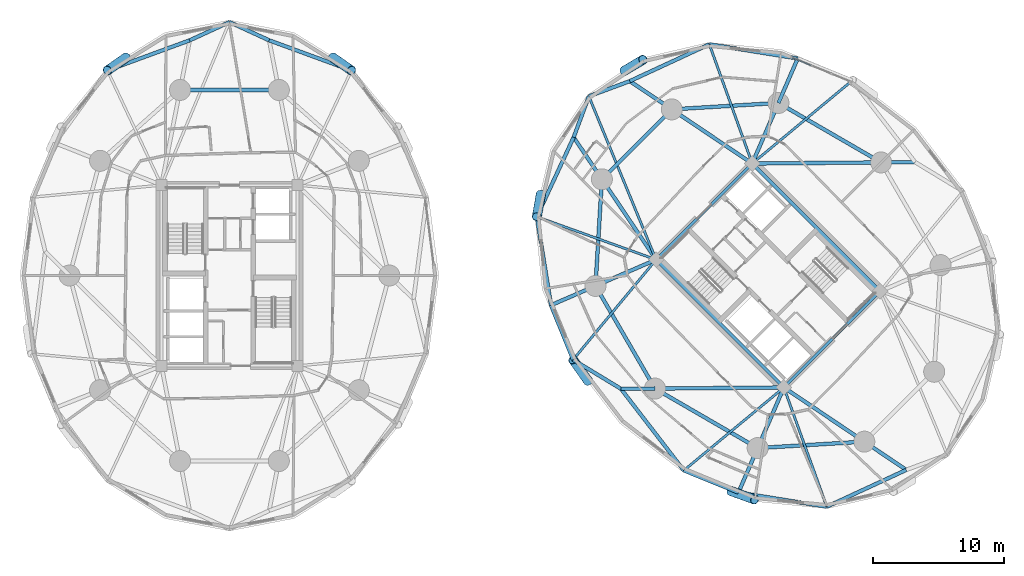
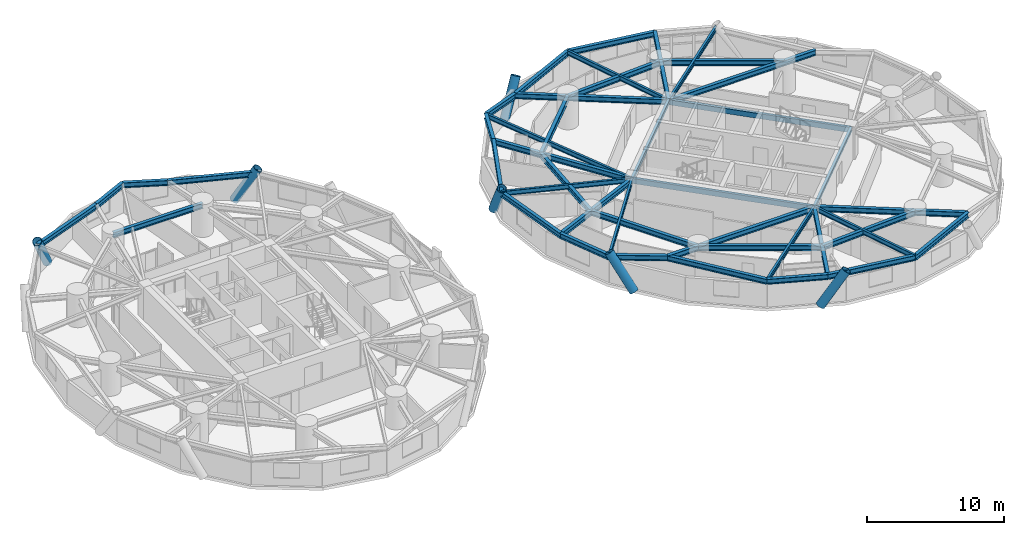
# One storey, part 5 of 16: 45 beams, 7 members, 1 element without a shape of its own.
"""IFC4 building model written with IfcOpenShell, lengths in metres."""

import ifcopenshell
import ifcopenshell.guid

model = None  # the IFC model being written
_history = None  # IfcOwnerHistory: only IFC2X3 demands one
_inside = {}  # id of a spatial element -> (the spatial element, [elements in it])
_under = {}  # id of a project, library or spatial element -> (it, [spatial elements below it])
_declared = {}  # id of a project -> (the project, [libraries it declares])
_typed = {}  # id of a type object -> (the type object, [elements of that type])
_made_of = {}  # id of a material, layer set ... -> (it, [elements and type objects made of it])


def new_model(schema):
    """Start an empty IFC model of exactly this schema.

    Asked for "IFC4X3", IfcOpenShell would pick the latest addendum, in which some entities
    have other attributes; the version numbers below select the first issue.
    IFC2X3 requires an IfcOwnerHistory on every rooted entity: one is made here for all.
    """
    global model, _history
    if schema == "IFC4X3":
        model = ifcopenshell.file(schema_version=(4, 3, 0, 0))
    else:
        model = ifcopenshell.file(schema=schema)
    _inside.clear()
    _under.clear()
    _declared.clear()
    _typed.clear()
    _made_of.clear()
    _history = None
    if model.schema == "IFC2X3":
        org = make("IfcOrganization", Name="unknown")
        user = make(
            "IfcPersonAndOrganization",
            ThePerson=make("IfcPerson", FamilyName="unknown"),
            TheOrganization=org,
        )
        app = make(
            "IfcApplication",
            ApplicationDeveloper=org,
            Version="unknown",
            ApplicationFullName="unknown",
            ApplicationIdentifier="unknown",
        )
        _history = make(
            "IfcOwnerHistory",
            OwningUser=user,
            OwningApplication=app,
            ChangeAction="ADDED",
            CreationDate=0,
        )
    return model


def make(cls, **values):
    """One entity of the class cls with the attributes given. An attribute that is None is left unset."""
    return model.create_entity(
        cls, **{name: value for name, value in values.items() if value is not None}
    )


def rooted(cls, **values):
    """An entity with a GlobalId (a new one), such as an element, a storey or a relation."""
    return make(cls, GlobalId=ifcopenshell.guid.new(), OwnerHistory=_history, **values)


def si_unit(unit_type, name, prefix=None):
    """IfcSIUnit, for example si_unit("LENGTHUNIT", "METRE", prefix="MILLI")."""
    return make("IfcSIUnit", UnitType=unit_type, Prefix=prefix, Name=name)


def assignment(units):
    """IfcUnitAssignment: the units of a project."""
    return None if units is None else make("IfcUnitAssignment", Units=units)


def point(xyz):
    """IfcCartesianPoint."""
    return None if xyz is None else make("IfcCartesianPoint", Coordinates=xyz)


def direction(xyz):
    """IfcDirection."""
    return None if xyz is None else make("IfcDirection", DirectionRatios=xyz)


def frame(location, z_axis=None, x_axis=None):
    """IfcAxis2Placement3D, a coordinate frame: its origin and axes. An axis left out is left unset."""
    return make(
        "IfcAxis2Placement3D",
        Location=point(location),
        Axis=direction(z_axis),
        RefDirection=direction(x_axis),
    )


def frame_2d(location, x_axis=None):
    """IfcAxis2Placement2D, a coordinate frame in the plane: its origin and x axis."""
    return make(
        "IfcAxis2Placement2D", Location=point(location), RefDirection=direction(x_axis)
    )


def origin():
    """The frame at (0, 0, 0) with its axes left unset."""
    return frame((0.0, 0.0, 0.0))


def origin_2d():
    """The frame at (0, 0) in the plane with its x axis left unset."""
    return frame_2d((0.0, 0.0))


def place(relative_to, where):
    """IfcLocalPlacement: puts the frame where relative to a parent placement (None: the world)."""
    return make(
        "IfcLocalPlacement", PlacementRelTo=relative_to, RelativePlacement=where
    )


def context(
    kind, dimensions, precision=None, world=None, true_north=None, identifier=None
):
    """IfcGeometricRepresentationContext, for example the 3D "Model" context."""
    return make(
        "IfcGeometricRepresentationContext",
        ContextIdentifier=identifier,
        ContextType=kind,
        CoordinateSpaceDimension=dimensions,
        Precision=precision,
        WorldCoordinateSystem=world,
        TrueNorth=true_north,
    )


def subcontext(parent, identifier, kind, view, scale=None):
    """IfcGeometricRepresentationSubContext, for example "Body" below "Model"."""
    return make(
        "IfcGeometricRepresentationSubContext",
        ContextIdentifier=identifier,
        ContextType=kind,
        ParentContext=parent,
        TargetScale=scale,
        TargetView=view,
    )


def project(units=None, contexts=None):
    """IfcProject with its units and contexts."""
    return rooted(
        "IfcProject",
        Name="project",
        RepresentationContexts=contexts,
        UnitsInContext=assignment(units),
    )


def spatial(cls, under=None, at=None, **own):
    """A site, building, storey or space (cls), placed at a placement, below another one or the project."""
    s = rooted(cls, ObjectPlacement=at, **own)
    if under is not None:
        _under.setdefault(under.id(), (under, []))[1].append(s)
    return s


def profile(cls, at=None, kind="AREA", **sizes):
    """A parametric profile (cls). Its sizes go by their IFC names, for example OverallWidth=200.0."""
    return make(cls, ProfileType=kind, Position=at, **sizes)


def hollow_rectangle(**sizes):
    """IfcRectangleHollowProfileDef."""
    return profile("IfcRectangleHollowProfileDef", **sizes)


def hollow_circle(**sizes):
    """IfcCircleHollowProfileDef."""
    return profile("IfcCircleHollowProfileDef", **sizes)


def i_section(**sizes):
    """IfcIShapeProfileDef."""
    return profile("IfcIShapeProfileDef", **sizes)


def extrude(swept, where, along, depth):
    """IfcExtrudedAreaSolid: the profile swept, set in the frame where, extruded along a direction by depth."""
    return make(
        "IfcExtrudedAreaSolid",
        SweptArea=swept,
        Position=where,
        ExtrudedDirection=direction(along),
        Depth=depth,
    )


def shape(context_of_items, identifier, shape_type, items):
    """IfcShapeRepresentation: the items that make up one representation, for example the "Body"."""
    return make(
        "IfcShapeRepresentation",
        ContextOfItems=context_of_items,
        RepresentationIdentifier=identifier,
        RepresentationType=shape_type,
        Items=items,
    )


def material(Name=None, Category=None):
    """IfcMaterial."""
    return make("IfcMaterial", Name=Name, Category=Category)


def layer(
    of_material, thickness, ventilated=None, Name=None, Category=None, Priority=None
):
    """IfcMaterialLayer: one layer of a wall or slab, of a material (None: an air gap)."""
    return make(
        "IfcMaterialLayer",
        Material=of_material,
        LayerThickness=thickness,
        IsVentilated=ventilated,
        Name=Name,
        Category=Category,
        Priority=Priority,
    )


def layer_set(layers, Name=None):
    """IfcMaterialLayerSet."""
    return make("IfcMaterialLayerSet", MaterialLayers=layers, LayerSetName=Name)


def material_profile(
    of_material, cross_section, Name=None, Category=None, Priority=None
):
    """IfcMaterialProfile: a cross section and its material."""
    return make(
        "IfcMaterialProfile",
        Name=Name,
        Material=of_material,
        Profile=cross_section,
        Priority=Priority,
        Category=Category,
    )


def profile_set(profiles, Name=None, composite=None):
    """IfcMaterialProfileSet."""
    return make(
        "IfcMaterialProfileSet",
        Name=Name,
        MaterialProfiles=profiles,
        CompositeProfile=composite,
    )


def made_of(thing, what):
    """Note that an element or type object is made of a material, layer set ...; save() writes the relation."""
    if what is not None:
        _made_of.setdefault(what.id(), (what, []))[1].append(thing)
    return thing


def type_object(cls, material=None, **own):
    """A type object (cls), such as IfcWallType, which elements share."""
    return made_of(rooted(cls, **own), material)


def element(
    cls,
    number,
    at=None,
    inside=None,
    cuts=None,
    type_object=None,
    material=None,
    context=None,
    identifier="Body",
    shape_type=None,
    held_by="IfcProductDefinitionShape",
    body=None,
    shapes=None,
    **own,
):
    """One element of the class cls, such as IfcWall. Its Tag is "e" and its number.

    at: its placement. inside: the storey or other place that contains it. cuts: it is an
    opening in that element (IfcRelVoidsElement). A single representation is given by context,
    identifier, shape_type and body (its items); several are given by shapes. held_by: the class
    of the entity that holds the representations. save() writes the other relations.
    """
    e = rooted(cls, Tag="e%d" % number, ObjectPlacement=at, **own)
    if body is not None:
        shapes = [shape(context, identifier, shape_type, body)]
    if shapes is not None:
        e.Representation = make(held_by, Representations=shapes)
    if inside is not None:
        _inside.setdefault(inside.id(), (inside, []))[1].append(e)
    if cuts is not None:
        rooted(
            "IfcRelVoidsElement", RelatingBuildingElement=cuts, RelatedOpeningElement=e
        )
    if type_object is not None:
        _typed.setdefault(type_object.id(), (type_object, []))[1].append(e)
    return made_of(e, material)


def aggregate(whole, parts):
    """IfcRelAggregates: a whole, such as a stair, and the parts it consists of."""
    return rooted("IfcRelAggregates", RelatingObject=whole, RelatedObjects=parts)


def save(model, path):
    """Write the relations noted so far, then the file.

    IfcRelAggregates (storeys below a building ...), IfcRelContainedInSpatialStructure (elements
    in a storey), IfcRelDefinesByType, IfcRelAssociatesMaterial and IfcRelDeclares: one each for
    every whole, place, type object, material and project.
    """
    for whole, parts in _under.values():
        aggregate(whole, parts)
    for where, things in _inside.values():
        rooted(
            "IfcRelContainedInSpatialStructure",
            RelatedElements=things,
            RelatingStructure=where,
        )
    for kind, things in _typed.values():
        rooted("IfcRelDefinesByType", RelatedObjects=things, RelatingType=kind)
    for what, things in _made_of.values():
        rooted("IfcRelAssociatesMaterial", RelatedObjects=things, RelatingMaterial=what)
    for by, libraries in _declared.values():
        rooted("IfcRelDeclares", RelatingContext=by, RelatedDefinitions=libraries)
    model.write(path)


model = new_model("IFC4")

# Units and contexts
model_context = context("Model", 3, precision=1e-05, world=origin(), true_north=direction((0.0, 1.0)))
body_context = subcontext(model_context, "Body", "Model", "MODEL_VIEW")
ifc_project = project(units=[si_unit("LENGTHUNIT", "METRE"), si_unit("AREAUNIT", "SQUARE_METRE"), si_unit("VOLUMEUNIT", "CUBIC_METRE"), si_unit("PLANEANGLEUNIT", "RADIAN"), si_unit("MASSUNIT", "GRAM", prefix="KILO")], contexts=[model_context])

# Site, building, storey
site_placement = place(None, origin())
site = spatial("IfcSite", under=ifc_project, at=site_placement, CompositionType="ELEMENT")
building_placement = place(site_placement, origin())
building = spatial("IfcBuilding", under=site, at=building_placement, Name="Cununo Teusaquillo Station Towers", CompositionType="ELEMENT")
storey_placement = place(building_placement, frame((0.0, 0.0, 62.739990234375)))
storey = spatial("IfcBuildingStorey", under=building, at=storey_placement, Name="L19", CompositionType="ELEMENT", Elevation=62.739990234375)

# Beams
ifc_material_1 = material(Name="Steel EN 10025-2 S355J2", Category="steel")
ifc_material_profile_1 = material_profile(ifc_material_1, hollow_rectangle(XDim=0.25, YDim=0.449951171875, WallThickness=0.01611328125, at=origin_2d()), Name="RHS 450x250x16")
ifc_profile_set_1 = profile_set([ifc_material_profile_1], Name="Steel EN 10025-2 S355J2")
beam_type_1 = type_object("IfcBeamType", Name="BM-COUP-1", PredefinedType="USERDEFINED", material=ifc_profile_set_1)
for number, where, z_axis, x_axis, name in (
    (1, (58.70556640625, 15.975830078125, 2.344970703125), (-0.707106781187, 0.707106781187, 0.0), (-0.707106781187, -0.707106781187, 0.0), "L19 Tower B Core Beam 1"),
    (2, (66.024169921875, 23.29443359375, 2.344970703125), (-0.707106781187, 0.707106781187, 0.0), (-0.707106781187, -0.707106781187, 0.0), "L19 Tower B Core Beam 2"),
):
    element("IfcBeam", number, at=place(storey_placement, frame(where, z_axis=z_axis, x_axis=x_axis)), inside=storey, type_object=beam_type_1, Name=name, ObjectType="COUPLING BEAM", PredefinedType="USERDEFINED", context=body_context, shape_type="SweptSolid", body=[
        extrude(hollow_rectangle(XDim=0.25, YDim=0.449951171875, WallThickness=0.01611328125, at=origin_2d()), origin(), (0.0, 0.0, 1.0), 13.760009765625),
    ])
ifc_material_2 = material(Name="Steel ASTM A572 Grade 50", Category="steel")
ifc_material_profile_2 = material_profile(ifc_material_2, i_section(OverallWidth=0.180908203125, OverallDepth=0.4169921875, WebThickness=0.010986328125, FlangeThickness=0.018310546875, FilletRadius=0.012939453125, at=origin_2d()), Name="W16X57")
ifc_profile_set_2 = profile_set([ifc_material_profile_2], Name="Steel ASTM A572 Grade 50")
beam_type_2 = type_object("IfcBeamType", Name="BM-JOIST-1", PredefinedType="JOIST", material=ifc_profile_set_2)
beam_1_placement = place(storey_placement, frame((56.29443359375, 33.024169921875, 2.361572265625), z_axis=(0.769727799615, 0.638372238196, 0.0), x_axis=(-0.638372238196, 0.769727799615, 0.0)))
element("IfcBeam", 3, at=beam_1_placement, inside=storey, type_object=beam_type_2, Name="L19 Tower B Radial Spandrel Joist V01", PredefinedType="JOIST", context=body_context, shape_type="SweptSolid", body=[
    extrude(i_section(OverallWidth=0.180908203125, OverallDepth=0.4169921875, WebThickness=0.010986328125, FlangeThickness=0.018310546875, FilletRadius=0.012939453125, at=origin_2d()), origin(), (0.0, 0.0, 1.0), 9.895263671875),
])
beam_2_placement = place(storey_placement, frame((56.29443359375, 33.024169921875, 2.361572265625), z_axis=(-0.338176312038, 0.941082771055, 0.0), x_axis=(-0.941082771055, -0.338176312038, 0.0)))
element("IfcBeam", 4, at=beam_2_placement, inside=storey, type_object=beam_type_2, Name="L19 Tower B Radial Spandrel Joist V03", PredefinedType="JOIST", context=body_context, shape_type="SweptSolid", body=[
    extrude(i_section(OverallWidth=0.180908203125, OverallDepth=0.4169921875, WebThickness=0.010986328125, FlangeThickness=0.018310546875, FilletRadius=0.012939453125, at=origin_2d()), origin(), (0.0, 0.0, 1.0), 9.646484375),
])
beam_3_placement = place(storey_placement, frame((48.975830078125, 25.70556640625, 2.361572265625), z_axis=(-0.380485864505, 0.924786735908, 0.0), x_axis=(-0.924786735908, -0.380485864505, 0.0)))
element("IfcBeam", 5, at=beam_3_placement, inside=storey, type_object=beam_type_2, Name="L19 Tower B Radial Spandrel Joist V05", PredefinedType="JOIST", context=body_context, shape_type="SweptSolid", body=[
    extrude(i_section(OverallWidth=0.180908203125, OverallDepth=0.4169921875, WebThickness=0.010986328125, FlangeThickness=0.018310546875, FilletRadius=0.012939453125, at=origin_2d()), origin(), (0.0, 0.0, 1.0), 13.44580078125),
])
beam_4_placement = place(storey_placement, frame((48.975830078125, 25.70556640625, 2.361572265625), z_axis=(-0.941082771055, 0.338176312038, 0.0), x_axis=(-0.338176312038, -0.941082771055, 0.0)))
element("IfcBeam", 6, at=beam_4_placement, inside=storey, type_object=beam_type_2, Name="L19 Tower B Radial Spandrel Joist V07", PredefinedType="JOIST", context=body_context, shape_type="SweptSolid", body=[
    extrude(i_section(OverallWidth=0.180908203125, OverallDepth=0.4169921875, WebThickness=0.010986328125, FlangeThickness=0.018310546875, FilletRadius=0.012939453125, at=origin_2d()), origin(), (0.0, 0.0, 1.0), 9.646484375),
])
for number, where, z_axis, x_axis, name in (
    (7, (48.975830078125, 25.70556640625, 2.361572265625), (-0.638372238196, -0.769727799615, 0.0), (0.769727799615, -0.638372238196, 0.0), "L19 Tower B Radial Spandrel Joist V09"),
    (8, (58.70556640625, 15.975830078125, 2.361572265625), (-0.769727799615, -0.638372238196, 0.0), (0.638372238196, -0.769727799615, 0.0), "L19 Tower B Radial Spandrel Joist V11"),
):
    element("IfcBeam", number, at=place(storey_placement, frame(where, z_axis=z_axis, x_axis=x_axis)), inside=storey, type_object=beam_type_2, Name=name, PredefinedType="JOIST", context=body_context, shape_type="SweptSolid", body=[
        extrude(i_section(OverallWidth=0.180908203125, OverallDepth=0.4169921875, WebThickness=0.010986328125, FlangeThickness=0.018310546875, FilletRadius=0.012939453125, at=origin_2d()), origin(), (0.0, 0.0, 1.0), 9.895263671875),
    ])
beam_5_placement = place(storey_placement, frame((58.70556640625, 15.975830078125, 2.361572265625), z_axis=(0.338176312038, -0.941082771055, 0.0), x_axis=(0.941082771055, 0.338176312038, 0.0)))
element("IfcBeam", 9, at=beam_5_placement, inside=storey, type_object=beam_type_2, Name="L19 Tower B Radial Spandrel Joist V13", PredefinedType="JOIST", context=body_context, shape_type="SweptSolid", body=[
    extrude(i_section(OverallWidth=0.180908203125, OverallDepth=0.4169921875, WebThickness=0.010986328125, FlangeThickness=0.018310546875, FilletRadius=0.012939453125, at=origin_2d()), origin(), (0.0, 0.0, 1.0), 9.646484375),
])
ifc_material_3 = material(Name="Steel ASTM A572 Grade 50", Category="steel")
ifc_material_profile_3 = material_profile(ifc_material_3, i_section(OverallWidth=0.2041015625, OverallDepth=0.35009765625, WebThickness=0.008544921875, FlangeThickness=0.01513671875, FilletRadius=0.011962890625, at=origin_2d()), Name="W14X48")
ifc_profile_set_3 = profile_set([ifc_material_profile_3], Name="Steel ASTM A572 Grade 50")
beam_type_3 = type_object("IfcBeamType", Name="BM-LINTEL-1", PredefinedType="LINTEL", material=ifc_profile_set_3)
for number, where, z_axis, x_axis, name in (
    (10, (58.70556640625, 15.975830078125, 2.39501953125), (0.707106781187, 0.707106781187, 0.0), (-0.707106781187, 0.707106781187, 0.0), "L19 Tower B Core Beam 3"),
    (11, (48.975830078125, 25.70556640625, 2.39501953125), (0.707106781187, 0.707106781187, 0.0), (-0.707106781187, 0.707106781187, 0.0), "L19 Tower B Core Beam 4"),
):
    element("IfcBeam", number, at=place(storey_placement, frame(where, z_axis=z_axis, x_axis=x_axis)), inside=storey, type_object=beam_type_3, Name=name, PredefinedType="LINTEL", context=body_context, shape_type="SweptSolid", body=[
        extrude(i_section(OverallWidth=0.2041015625, OverallDepth=0.35009765625, WebThickness=0.008544921875, FlangeThickness=0.01513671875, FilletRadius=0.011962890625, at=origin_2d()), origin(), (0.0, 0.0, 1.0), 10.35009765625),
    ])
ifc_material_4 = material(Name="Steel ASTM A572 Grade 50", Category="steel")
ifc_material_profile_4 = material_profile(ifc_material_4, i_section(OverallWidth=0.280029296875, OverallDepth=0.462890625, WebThickness=0.0107421875, FlangeThickness=0.017333984375, FilletRadius=0.013916015625, at=origin_2d()), Name="W18X76")
ifc_profile_set_4 = profile_set([ifc_material_profile_4], Name="Steel ASTM A572 Grade 50")
beam_type_4 = type_object("IfcBeamType", Name="BM-RAD-G1", PredefinedType="BEAM", material=ifc_profile_set_4)
beam_6_placement = place(storey_placement, frame((56.29443359375, 33.024169921875, 2.338623046875), z_axis=(0.999964331255, 0.008446077024, 0.0), x_axis=(-0.008446077024, 0.999964331255, 0.0)))
element("IfcBeam", 12, at=beam_6_placement, inside=storey, type_object=beam_type_4, Name="L19 Tower B Continuous Overhanging Radial Girder 01", PredefinedType="BEAM", context=body_context, shape_type="SweptSolid", body=[
    extrude(i_section(OverallWidth=0.280029296875, OverallDepth=0.462890625, WebThickness=0.0107421875, FlangeThickness=0.017333984375, FilletRadius=0.013916015625, at=origin_2d()), origin(), (0.0, 0.0, 1.0), 12.400634765625),
])
beam_7_placement = place(storey_placement, frame((56.29443359375, 33.024169921875, 2.338623046875), z_axis=(0.397346986387, 0.917668443616, 0.0), x_axis=(-0.917668443616, 0.397346986387, 0.0)))
element("IfcBeam", 13, at=beam_7_placement, inside=storey, type_object=beam_type_4, Name="L19 Tower B Radial Girder 02A", PredefinedType="BEAM", context=body_context, shape_type="SweptSolid", body=[
    extrude(i_section(OverallWidth=0.280029296875, OverallDepth=0.462890625, WebThickness=0.0107421875, FlangeThickness=0.017333984375, FilletRadius=0.013916015625, at=origin_2d()), origin(), (0.0, 0.0, 1.0), 5.02490234375),
])
beam_8_placement = place(storey_placement, frame((58.291015625, 37.63525390625, 2.338623046875), z_axis=(0.397421761279, 0.917636062751, 0.0), x_axis=(-0.917636062751, 0.397421761279, 0.0)))
element("IfcBeam", 14, at=beam_8_placement, inside=storey, type_object=beam_type_4, Name="L19 Tower B Perimeter Overhang Girder 02B", PredefinedType="BEAM", context=body_context, shape_type="SweptSolid", body=[
    extrude(i_section(OverallWidth=0.280029296875, OverallDepth=0.462890625, WebThickness=0.0107421875, FlangeThickness=0.017333984375, FilletRadius=0.013916015625, at=origin_2d()), origin(), (0.0, 0.0, 1.0), 3.690185546875),
])
for number, where, z_axis, x_axis, name in (
    (15, (56.29443359375, 33.024169921875, 2.338623046875), (-0.82945583878, 0.558572297481, 0.0), (-0.558572297481, -0.82945583878, 0.0), "L19 Tower B Continuous Overhanging Radial Girder 03"),
    (16, (48.975830078125, 25.70556640625, 2.338623046875), (-0.558572297481, 0.82945583878, 0.0), (-0.82945583878, -0.558572297481, 0.0), "L19 Tower B Continuous Overhanging Radial Girder 04"),
):
    element("IfcBeam", number, at=place(storey_placement, frame(where, z_axis=z_axis, x_axis=x_axis)), inside=storey, type_object=beam_type_4, Name=name, PredefinedType="BEAM", context=body_context, shape_type="SweptSolid", body=[
        extrude(i_section(OverallWidth=0.280029296875, OverallDepth=0.462890625, WebThickness=0.0107421875, FlangeThickness=0.017333984375, FilletRadius=0.013916015625, at=origin_2d()), origin(), (0.0, 0.0, 1.0), 11.22998046875),
    ])
beam_9_placement = place(storey_placement, frame((48.975830078125, 25.70556640625, 2.338623046875), z_axis=(-0.917654733344, -0.397378648609, 0.0), x_axis=(0.397378648609, -0.917654733344, 0.0)))
element("IfcBeam", 17, at=beam_9_placement, inside=storey, type_object=beam_type_4, Name="L19 Tower B Continuous Overhanging Radial Girder 05", PredefinedType="BEAM", context=body_context, shape_type="SweptSolid", body=[
    extrude(i_section(OverallWidth=0.280029296875, OverallDepth=0.462890625, WebThickness=0.0107421875, FlangeThickness=0.017333984375, FilletRadius=0.013916015625, at=origin_2d()), origin(), (0.0, 0.0, 1.0), 8.71484375),
])
beam_10_placement = place(storey_placement, frame((58.70556640625, 15.975830078125, 2.338623046875), z_axis=(-0.999964431382, -0.008434214327, 0.0), x_axis=(0.008434214327, -0.999964431382, 0.0)))
element("IfcBeam", 18, at=beam_10_placement, inside=storey, type_object=beam_type_4, Name="L19 Tower B Radial Girder 06A", PredefinedType="BEAM", context=body_context, shape_type="SweptSolid", body=[
    extrude(i_section(OverallWidth=0.280029296875, OverallDepth=0.462890625, WebThickness=0.0107421875, FlangeThickness=0.017333984375, FilletRadius=0.013916015625, at=origin_2d()), origin(), (0.0, 0.0, 1.0), 9.812744140625),
])
beam_11_placement = place(storey_placement, frame((48.89306640625, 15.89306640625, 2.338623046875), z_axis=(-0.999963950292, -0.008491060999, 0.0), x_axis=(0.008491060999, -0.999963950292, 0.0)))
element("IfcBeam", 19, at=beam_11_placement, inside=storey, type_object=beam_type_4, Name="L19 Tower B Perimeter Overhang Girder 06B", PredefinedType="BEAM", context=body_context, shape_type="SweptSolid", body=[
    extrude(i_section(OverallWidth=0.280029296875, OverallDepth=0.462890625, WebThickness=0.0107421875, FlangeThickness=0.017333984375, FilletRadius=0.013916015625, at=origin_2d()), origin(), (0.0, 0.0, 1.0), 2.587646484375),
])
beam_12_placement = place(storey_placement, frame((58.70556640625, 15.975830078125, 2.338623046875), z_axis=(-0.397378648609, -0.917654733344, 0.0), x_axis=(0.917654733344, -0.397378648609, 0.0)))
element("IfcBeam", 20, at=beam_12_placement, inside=storey, type_object=beam_type_4, Name="L19 Tower B Continuous Overhanging Radial Girder 07", PredefinedType="BEAM", context=body_context, shape_type="SweptSolid", body=[
    extrude(i_section(OverallWidth=0.280029296875, OverallDepth=0.462890625, WebThickness=0.0107421875, FlangeThickness=0.017333984375, FilletRadius=0.013916015625, at=origin_2d()), origin(), (0.0, 0.0, 1.0), 8.71484375),
])
beam_13_placement = place(storey_placement, frame((58.70556640625, 15.975830078125, 2.338623046875), z_axis=(0.82945583878, -0.558572297481, 0.0), x_axis=(0.558572297481, 0.82945583878, 0.0)))
element("IfcBeam", 21, at=beam_13_placement, inside=storey, type_object=beam_type_4, Name="L19 Tower B Continuous Overhanging Radial Girder 08", PredefinedType="BEAM", context=body_context, shape_type="SweptSolid", body=[
    extrude(i_section(OverallWidth=0.280029296875, OverallDepth=0.462890625, WebThickness=0.0107421875, FlangeThickness=0.017333984375, FilletRadius=0.013916015625, at=origin_2d()), origin(), (0.0, 0.0, 1.0), 11.22998046875),
])
ifc_material_5 = material(Name="Steel ASTM A572 Grade 50", Category="steel")
ifc_material_profile_5 = material_profile(ifc_material_5, i_section(OverallWidth=0.280029296875, OverallDepth=0.462890625, WebThickness=0.0107421875, FlangeThickness=0.017333984375, FilletRadius=0.013916015625, at=origin_2d()), Name="W18X76")
ifc_profile_set_5 = profile_set([ifc_material_profile_5], Name="Steel ASTM A572 Grade 50")
beam_type_5 = type_object("IfcBeamType", Name="BM-RING-Z2", PredefinedType="SPANDREL", material=ifc_profile_set_5)
beam_14_placement = place(storey_placement, frame((20.261474609375, 38.623291015625, 2.338623046875), z_axis=(-1.0, 0.0, 0.0), x_axis=(0.0, -1.0, 0.0)))
element("IfcBeam", 22, at=beam_14_placement, inside=storey, type_object=beam_type_5, Name="L19 Tower A Structural Column Ring Girder 03", PredefinedType="SPANDREL", context=body_context, shape_type="SweptSolid", body=[
    extrude(i_section(OverallWidth=0.280029296875, OverallDepth=0.462890625, WebThickness=0.0107421875, FlangeThickness=0.017333984375, FilletRadius=0.013916015625, at=origin_2d()), origin(), (0.0, 0.0, 1.0), 7.52294921875),
])
beam_15_placement = place(storey_placement, frame((25.78759765625, 40.10595703125, 2.338623046875), z_axis=(-0.938914161016, 0.34415141761, 0.0), x_axis=(-0.34415141761, -0.938914161016, 0.0)))
element("IfcBeam", 23, at=beam_15_placement, inside=storey, type_object=beam_type_5, Name="L19 Tower A Spandrel Ring Beam 04", PredefinedType="SPANDREL", context=body_context, shape_type="SweptSolid", body=[
    extrude(i_section(OverallWidth=0.280029296875, OverallDepth=0.462890625, WebThickness=0.0107421875, FlangeThickness=0.017333984375, FilletRadius=0.013916015625, at=origin_2d()), origin(), (0.0, 0.0, 1.0), 6.671142578125),
])
for number, where, z_axis, x_axis, name in (
    (24, (19.52392578125, 42.40185546875, 2.338623046875), (-0.908812215281, 0.417205413862, 0.0), (-0.417205413862, -0.908812215281, 0.0), "L19 Tower A Spandrel Ring Beam 05"),
    (25, (16.5, 43.7900390625, 2.338623046875), (-0.908812215281, -0.417205413862, 0.0), (0.417205413862, -0.908812215281, 0.0), "L19 Tower A Spandrel Ring Beam 06"),
):
    element("IfcBeam", number, at=place(storey_placement, frame(where, z_axis=z_axis, x_axis=x_axis)), inside=storey, type_object=beam_type_5, Name=name, PredefinedType="SPANDREL", context=body_context, shape_type="SweptSolid", body=[
        extrude(i_section(OverallWidth=0.280029296875, OverallDepth=0.462890625, WebThickness=0.0107421875, FlangeThickness=0.017333984375, FilletRadius=0.013916015625, at=origin_2d()), origin(), (0.0, 0.0, 1.0), 3.327392578125),
    ])
beam_16_placement = place(storey_placement, frame((13.47607421875, 42.40185546875, 2.338623046875), z_axis=(-0.938914161016, -0.34415141761, 0.0), x_axis=(0.34415141761, -0.938914161016, 0.0)))
element("IfcBeam", 26, at=beam_16_placement, inside=storey, type_object=beam_type_5, Name="L19 Tower A Spandrel Ring Beam 07", PredefinedType="SPANDREL", context=body_context, shape_type="SweptSolid", body=[
    extrude(i_section(OverallWidth=0.280029296875, OverallDepth=0.462890625, WebThickness=0.0107421875, FlangeThickness=0.017333984375, FilletRadius=0.013916015625, at=origin_2d()), origin(), (0.0, 0.0, 1.0), 6.671142578125),
])
beam_17_placement = place(storey_placement, frame((66.10693359375, 33.10693359375, 2.338623046875), z_axis=(-0.865267103202, 0.501311121078, 0.0), x_axis=(-0.501311121078, -0.865267103202, 0.0)))
element("IfcBeam", 27, at=beam_17_placement, inside=storey, type_object=beam_type_5, Name="L19 Tower B Structural Column Ring Girder 01", PredefinedType="SPANDREL", context=body_context, shape_type="SweptSolid", body=[
    extrude(i_section(OverallWidth=0.280029296875, OverallDepth=0.462890625, WebThickness=0.0107421875, FlangeThickness=0.017333984375, FilletRadius=0.013916015625, at=origin_2d()), origin(), (0.0, 0.0, 1.0), 9.032958984375),
])
beam_18_placement = place(storey_placement, frame((58.291015625, 37.63525390625, 2.338623046875), z_axis=(-0.998190567048, -0.06012979176, 0.0), x_axis=(0.06012979176, -0.998190567048, 0.0)))
element("IfcBeam", 28, at=beam_18_placement, inside=storey, type_object=beam_type_5, Name="L19 Tower B Structural Column Ring Girder 02", PredefinedType="SPANDREL", context=body_context, shape_type="SweptSolid", body=[
    extrude(i_section(OverallWidth=0.280029296875, OverallDepth=0.462890625, WebThickness=0.0107421875, FlangeThickness=0.017333984375, FilletRadius=0.013916015625, at=origin_2d()), origin(), (0.0, 0.0, 1.0), 8.132568359375),
])
beam_19_placement = place(storey_placement, frame((50.173095703125, 37.146240234375, 2.338623046875), z_axis=(-0.707106781187, -0.707106781187, 0.0), x_axis=(0.707106781187, -0.707106781187, 0.0)))
element("IfcBeam", 29, at=beam_19_placement, inside=storey, type_object=beam_type_5, Name="L19 Tower B Structural Column Ring Girder 03", PredefinedType="SPANDREL", context=body_context, shape_type="SweptSolid", body=[
    extrude(i_section(OverallWidth=0.280029296875, OverallDepth=0.462890625, WebThickness=0.0107421875, FlangeThickness=0.017333984375, FilletRadius=0.013916015625, at=origin_2d()), origin(), (0.0, 0.0, 1.0), 7.522705078125),
])
beam_20_placement = place(storey_placement, frame((44.853759765625, 31.826904296875, 2.338623046875), z_axis=(-0.06012979176, -0.998190567048, 0.0), x_axis=(0.998190567048, -0.06012979176, 0.0)))
element("IfcBeam", 30, at=beam_20_placement, inside=storey, type_object=beam_type_5, Name="L19 Tower B Structural Column Ring Girder 04", PredefinedType="SPANDREL", context=body_context, shape_type="SweptSolid", body=[
    extrude(i_section(OverallWidth=0.280029296875, OverallDepth=0.462890625, WebThickness=0.0107421875, FlangeThickness=0.017333984375, FilletRadius=0.013916015625, at=origin_2d()), origin(), (0.0, 0.0, 1.0), 8.132568359375),
])
for number, where, z_axis, x_axis, name in (
    (31, (44.36474609375, 23.708984375, 2.338623046875), (0.501311121078, -0.865267103202, 0.0), (0.865267103202, 0.501311121078, 0.0), "L19 Tower B Structural Column Ring Girder 05"),
    (32, (48.89306640625, 15.89306640625, 2.338623046875), (0.865267103202, -0.501311121078, 0.0), (0.501311121078, 0.865267103202, 0.0), "L19 Tower B Structural Column Ring Girder 06"),
):
    element("IfcBeam", number, at=place(storey_placement, frame(where, z_axis=z_axis, x_axis=x_axis)), inside=storey, type_object=beam_type_5, Name=name, PredefinedType="SPANDREL", context=body_context, shape_type="SweptSolid", body=[
        extrude(i_section(OverallWidth=0.280029296875, OverallDepth=0.462890625, WebThickness=0.0107421875, FlangeThickness=0.017333984375, FilletRadius=0.013916015625, at=origin_2d()), origin(), (0.0, 0.0, 1.0), 9.032958984375),
    ])
beam_21_placement = place(storey_placement, frame((56.708984375, 11.36474609375, 2.338623046875), z_axis=(0.998190567048, 0.06012979176, 0.0), x_axis=(-0.06012979176, 0.998190567048, 0.0)))
element("IfcBeam", 33, at=beam_21_placement, inside=storey, type_object=beam_type_5, Name="L19 Tower B Structural Column Ring Girder 07", PredefinedType="SPANDREL", context=body_context, shape_type="SweptSolid", body=[
    extrude(i_section(OverallWidth=0.280029296875, OverallDepth=0.462890625, WebThickness=0.0107421875, FlangeThickness=0.017333984375, FilletRadius=0.013916015625, at=origin_2d()), origin(), (0.0, 0.0, 1.0), 8.132568359375),
])
beam_22_placement = place(storey_placement, frame((59.757568359375, 41.021484375, 2.338623046875), z_axis=(-0.987331474246, 0.158671232312, 0.0), x_axis=(-0.158671232312, -0.987331474246, 0.0)))
element("IfcBeam", 34, at=beam_22_placement, inside=storey, type_object=beam_type_5, Name="L19 Tower B Spandrel Ring Beam 03", PredefinedType="SPANDREL", context=body_context, shape_type="SweptSolid", body=[
    extrude(i_section(OverallWidth=0.280029296875, OverallDepth=0.462890625, WebThickness=0.0107421875, FlangeThickness=0.017333984375, FilletRadius=0.013916015625, at=origin_2d()), origin(), (0.0, 0.0, 1.0), 6.8115234375),
])
beam_23_placement = place(storey_placement, frame((53.0322265625, 42.102294921875, 2.338623046875), z_axis=(-0.907275870354, -0.420535961689, 0.0), x_axis=(0.420535961689, -0.907275870354, 0.0)))
element("IfcBeam", 35, at=beam_23_placement, inside=storey, type_object=beam_type_5, Name="L19 Tower B Spandrel Ring Beam 04", PredefinedType="SPANDREL", context=body_context, shape_type="SweptSolid", body=[
    extrude(i_section(OverallWidth=0.280029296875, OverallDepth=0.462890625, WebThickness=0.0107421875, FlangeThickness=0.017333984375, FilletRadius=0.013916015625, at=origin_2d()), origin(), (0.0, 0.0, 1.0), 6.671142578125),
])
for number, where, z_axis, x_axis, name in (
    (36, (46.979736328125, 39.296875, 2.338623046875), (-0.937628334414, -0.347639333943, 0.0), (0.347639333943, -0.937628334414, 0.0), "L19 Tower B Spandrel Ring Beam 05"),
    (37, (43.85986328125, 38.14013671875, 2.338623046875), (-0.347639333943, -0.937628334414, 0.0), (0.937628334414, -0.347639333943, 0.0), "L19 Tower B Spandrel Ring Beam 06"),
):
    element("IfcBeam", number, at=place(storey_placement, frame(where, z_axis=z_axis, x_axis=x_axis)), inside=storey, type_object=beam_type_5, Name=name, PredefinedType="SPANDREL", context=body_context, shape_type="SweptSolid", body=[
        extrude(i_section(OverallWidth=0.280029296875, OverallDepth=0.462890625, WebThickness=0.0107421875, FlangeThickness=0.017333984375, FilletRadius=0.013916015625, at=origin_2d()), origin(), (0.0, 0.0, 1.0), 3.327392578125),
    ])
beam_24_placement = place(storey_placement, frame((42.703125, 35.020263671875, 2.338623046875), z_axis=(-0.420535961689, -0.907275870354, 0.0), x_axis=(0.907275870354, -0.420535961689, 0.0)))
element("IfcBeam", 38, at=beam_24_placement, inside=storey, type_object=beam_type_5, Name="L19 Tower B Spandrel Ring Beam 07", PredefinedType="SPANDREL", context=body_context, shape_type="SweptSolid", body=[
    extrude(i_section(OverallWidth=0.280029296875, OverallDepth=0.462890625, WebThickness=0.0107421875, FlangeThickness=0.017333984375, FilletRadius=0.013916015625, at=origin_2d()), origin(), (0.0, 0.0, 1.0), 6.671142578125),
])
beam_25_placement = place(storey_placement, frame((39.897705078125, 28.9677734375, 2.338623046875), z_axis=(0.158671232312, -0.987331474246, 0.0), x_axis=(0.987331474246, 0.158671232312, 0.0)))
element("IfcBeam", 39, at=beam_25_placement, inside=storey, type_object=beam_type_5, Name="L19 Tower B Spandrel Ring Beam 08", PredefinedType="SPANDREL", context=body_context, shape_type="SweptSolid", body=[
    extrude(i_section(OverallWidth=0.280029296875, OverallDepth=0.462890625, WebThickness=0.0107421875, FlangeThickness=0.017333984375, FilletRadius=0.013916015625, at=origin_2d()), origin(), (0.0, 0.0, 1.0), 6.8115234375),
])
beam_26_placement = place(storey_placement, frame((40.978515625, 22.242431640625, 2.338623046875), z_axis=(0.375042266631, -0.927007712072, 0.0), x_axis=(0.927007712072, 0.375042266631, 0.0)))
element("IfcBeam", 40, at=beam_26_placement, inside=storey, type_object=beam_type_5, Name="L19 Tower B Spandrel Ring Beam 09", PredefinedType="SPANDREL", context=body_context, shape_type="SweptSolid", body=[
    extrude(i_section(OverallWidth=0.280029296875, OverallDepth=0.462890625, WebThickness=0.0107421875, FlangeThickness=0.017333984375, FilletRadius=0.013916015625, at=origin_2d()), origin(), (0.0, 0.0, 1.0), 4.480712890625),
])
beam_27_placement = place(storey_placement, frame((42.658935546875, 18.0888671875, 2.338623046875), z_axis=(0.854388492444, -0.519634779416, 0.0), x_axis=(0.519634779416, 0.854388492444, 0.0)))
element("IfcBeam", 41, at=beam_27_placement, inside=storey, type_object=beam_type_5, Name="L19 Tower B Spandrel Ring Beam 10", PredefinedType="SPANDREL", context=body_context, shape_type="SweptSolid", body=[
    extrude(i_section(OverallWidth=0.280029296875, OverallDepth=0.462890625, WebThickness=0.0107421875, FlangeThickness=0.017333984375, FilletRadius=0.013916015625, at=origin_2d()), origin(), (0.0, 0.0, 1.0), 4.26806640625),
])
beam_28_placement = place(storey_placement, frame((46.305419921875, 15.87109375, 2.338623046875), z_axis=(0.610100441726, -0.792324082056, 0.0), x_axis=(0.792324082056, 0.610100441726, 0.0)))
element("IfcBeam", 42, at=beam_28_placement, inside=storey, type_object=beam_type_5, Name="L19 Tower B Spandrel Ring Beam 11", PredefinedType="SPANDREL", context=body_context, shape_type="SweptSolid", body=[
    extrude(i_section(OverallWidth=0.280029296875, OverallDepth=0.462890625, WebThickness=0.0107421875, FlangeThickness=0.017333984375, FilletRadius=0.013916015625, at=origin_2d()), origin(), (0.0, 0.0, 1.0), 7.84033203125),
])
beam_29_placement = place(storey_placement, frame((51.0888671875, 9.658935546875, 2.338623046875), z_axis=(0.927007712072, -0.375042266631, 0.0), x_axis=(0.375042266631, 0.927007712072, 0.0)))
element("IfcBeam", 43, at=beam_29_placement, inside=storey, type_object=beam_type_5, Name="L19 Tower B Spandrel Ring Beam 12", PredefinedType="SPANDREL", context=body_context, shape_type="SweptSolid", body=[
    extrude(i_section(OverallWidth=0.280029296875, OverallDepth=0.462890625, WebThickness=0.0107421875, FlangeThickness=0.017333984375, FilletRadius=0.013916015625, at=origin_2d()), origin(), (0.0, 0.0, 1.0), 4.480712890625),
])
beam_30_placement = place(storey_placement, frame((55.242431640625, 7.978515625, 2.338623046875), z_axis=(0.987331474246, -0.158671232312, 0.0), x_axis=(0.158671232312, 0.987331474246, 0.0)))
element("IfcBeam", 44, at=beam_30_placement, inside=storey, type_object=beam_type_5, Name="L19 Tower B Spandrel Ring Beam 13", PredefinedType="SPANDREL", context=body_context, shape_type="SweptSolid", body=[
    extrude(i_section(OverallWidth=0.280029296875, OverallDepth=0.462890625, WebThickness=0.0107421875, FlangeThickness=0.017333984375, FilletRadius=0.013916015625, at=origin_2d()), origin(), (0.0, 0.0, 1.0), 6.8115234375),
])
beam_31_placement = place(storey_placement, frame((61.9677734375, 6.897705078125, 2.338623046875), z_axis=(0.907275870354, 0.420535961689, 0.0), x_axis=(-0.420535961689, 0.907275870354, 0.0)))
element("IfcBeam", 45, at=beam_31_placement, inside=storey, type_object=beam_type_5, Name="L19 Tower B Spandrel Ring Beam 14", PredefinedType="SPANDREL", context=body_context, shape_type="SweptSolid", body=[
    extrude(i_section(OverallWidth=0.280029296875, OverallDepth=0.462890625, WebThickness=0.0107421875, FlangeThickness=0.017333984375, FilletRadius=0.013916015625, at=origin_2d()), origin(), (0.0, 0.0, 1.0), 6.671142578125),
])

# Curtain wall, member
ifc_material_6 = material(Name="Operable acoustic tinted low-E double glazing", Category="glass")
ifc_layer = layer(ifc_material_6, 0.179931640625)
ifc_layer_set = layer_set([ifc_layer], Name="Operable acoustic tinted low-E double glazing")
curtain_wall_type = type_object("IfcCurtainWallType", Name="CW-SYS-03", PredefinedType="USERDEFINED", material=ifc_layer_set)
curtain_wall_placement = place(storey_placement, origin())
curtain_wall = element("IfcCurtainWall", 46, at=curtain_wall_placement, inside=storey, type_object=curtain_wall_type, Name="L19 Tower B Facade Curtain Wall C01", ObjectType="OPERABLE GLAZING", PredefinedType="USERDEFINED")
ifc_material_7 = material(Name="Anodised dark bronze aluminium EN AW-6063-T6", Category="aluminium")
ifc_material_profile_6 = material_profile(ifc_material_7, hollow_rectangle(XDim=0.070068359375, YDim=0.139892578125, WallThickness=0.00390625, at=origin_2d()), Name="CW-TRAN-70x140")
ifc_profile_set_6 = profile_set([ifc_material_profile_6], Name="Anodised dark bronze aluminium EN AW-6063-T6")
member_type_1 = type_object("IfcMemberType", Name="CWT-140", PredefinedType="USERDEFINED", material=ifc_profile_set_6)
member_1_placement = place(storey_placement, frame((59.34326171875, 41.0771484375, 0.034912109375), z_axis=(0.924569788206, -0.381012738286, 0.0), x_axis=(0.381012738286, 0.924569788206, 0.0)))
member_1 = element("IfcMember", 47, at=member_1_placement, type_object=member_type_1, Name="CW-03 transom 1.1", ObjectType="TRANSOM", PredefinedType="USERDEFINED", context=body_context, shape_type="SweptSolid", body=[
    extrude(hollow_rectangle(XDim=0.070068359375, YDim=0.139892578125, WallThickness=0.00390625, at=origin_2d()), origin(), (0.0, 0.0, 1.0), 1.541015625),
])
aggregate(curtain_wall, [member_1])

# Members
ifc_material_8 = material(Name="Steel EN 10025-2 S355J2", Category="steel")
ifc_material_profile_7 = material_profile(ifc_material_8, hollow_circle(Radius=0.360107421875, WallThickness=0.028076171875, at=origin_2d()), Name="CHS 720x28")
ifc_profile_set_7 = profile_set([ifc_material_profile_7], Name="Steel EN 10025-2 S355J2")
member_type_2 = type_object("IfcMemberType", Name="MBR-DIAG-Z1", PredefinedType="BRACE", material=ifc_profile_set_7)
for number, where, z_axis, x_axis, name in (
    (48, (24.35986328125, 41.10498046875, -0.139892578125), (0.42094156728, -0.294543928405, 0.857934770933), (0.573311885787, 0.819337220939, 0.0), "L19 Tower A Folded-Zigzag Diagrid Tube C03"),
    (49, (8.64013671875, 41.10498046875, -0.139892578125), (-0.42094156728, -0.294543928405, 0.857934770933), (0.573311885787, -0.819337220939, 0.0), "L19 Tower A Folded-Zigzag Diagrid Tube C06"),
):
    element("IfcMember", number, at=place(storey_placement, frame(where, z_axis=z_axis, x_axis=x_axis)), inside=storey, type_object=member_type_2, Name=name, PredefinedType="BRACE", context=body_context, shape_type="SweptSolid", body=[
        extrude(hollow_circle(Radius=0.360107421875, WallThickness=0.028076171875, at=origin_2d()), origin(), (0.0, 0.0, 1.0), 3.391845703125),
    ])
member_2_placement = place(storey_placement, frame((46.55029296875, 40.0771484375, -0.139892578125), z_axis=(0.426671512635, 0.25307441265, 0.868276892453), x_axis=(-0.510148521719, 0.860086324614, 0.0)))
element("IfcMember", 50, at=member_2_placement, inside=storey, type_object=member_type_2, Name="L19 Tower B Folded-Zigzag Diagrid Tube C04", PredefinedType="BRACE", context=body_context, shape_type="SweptSolid", body=[
    extrude(hollow_circle(Radius=0.360107421875, WallThickness=0.028076171875, at=origin_2d()), origin(), (0.0, 0.0, 1.0), 3.351318359375),
])
member_3_placement = place(storey_placement, frame((40.20068359375, 30.68359375, -0.139892578125), z_axis=(-0.089330193214, -0.505892504357, 0.857958559964), x_axis=(0.984765215448, -0.173889247634, 0.0)))
element("IfcMember", 51, at=member_3_placement, inside=storey, type_object=member_type_2, Name="L19 Tower B Folded-Zigzag Diagrid Tube C06", PredefinedType="BRACE", context=body_context, shape_type="SweptSolid", body=[
    extrude(hollow_circle(Radius=0.360107421875, WallThickness=0.028076171875, at=origin_2d()), origin(), (0.0, 0.0, 1.0), 3.3916015625),
])
member_4_placement = place(storey_placement, frame((43.810791015625, 16.460205078125, -0.139892578125), z_axis=(-0.326488126953, 0.461636772977, 0.824801183798), x_axis=(-0.816445191896, -0.577422937395, 0.0)))
element("IfcMember", 52, at=member_4_placement, inside=storey, type_object=member_type_2, Name="L19 Tower B Folded-Zigzag Diagrid Tube C09", PredefinedType="BRACE", context=body_context, shape_type="SweptSolid", body=[
    extrude(hollow_circle(Radius=0.360107421875, WallThickness=0.028076171875, at=origin_2d()), origin(), (0.0, 0.0, 1.0), 3.528076171875),
])
member_5_placement = place(storey_placement, frame((54.667236328125, 8.09716796875, -0.139892578125), z_axis=(0.519032000885, -0.187377689184, 0.833963658473), x_axis=(0.33956345066, 0.940583150485, 0.0)))
element("IfcMember", 53, at=member_5_placement, inside=storey, type_object=member_type_2, Name="L19 Tower B Folded-Zigzag Diagrid Tube C11", PredefinedType="BRACE", context=body_context, shape_type="SweptSolid", body=[
    extrude(hollow_circle(Radius=0.360107421875, WallThickness=0.028076171875, at=origin_2d()), origin(), (0.0, 0.0, 1.0), 3.4892578125),
])

save(model, "model.ifc")
